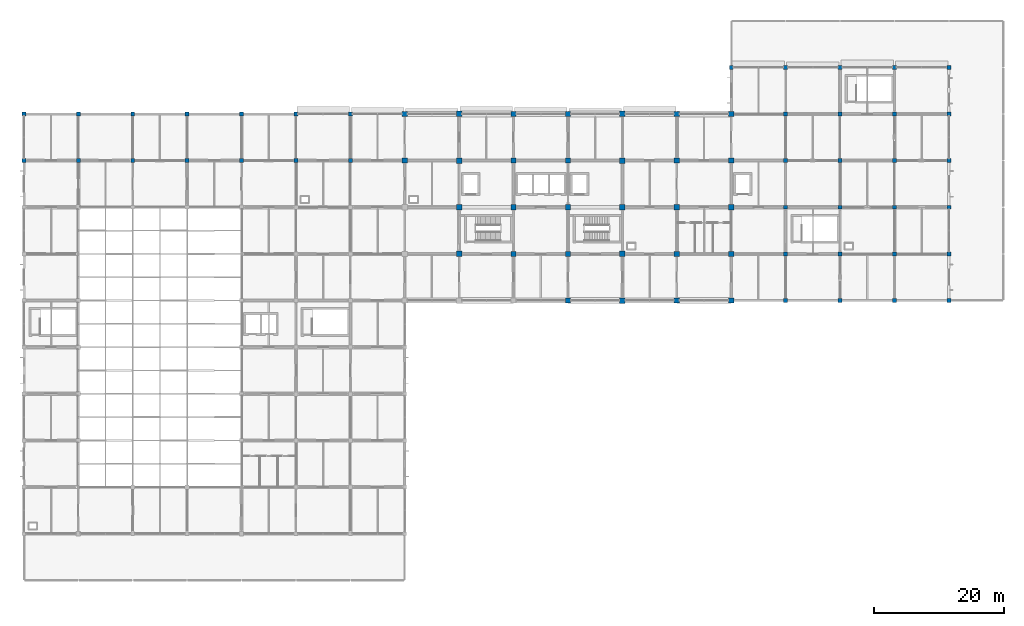
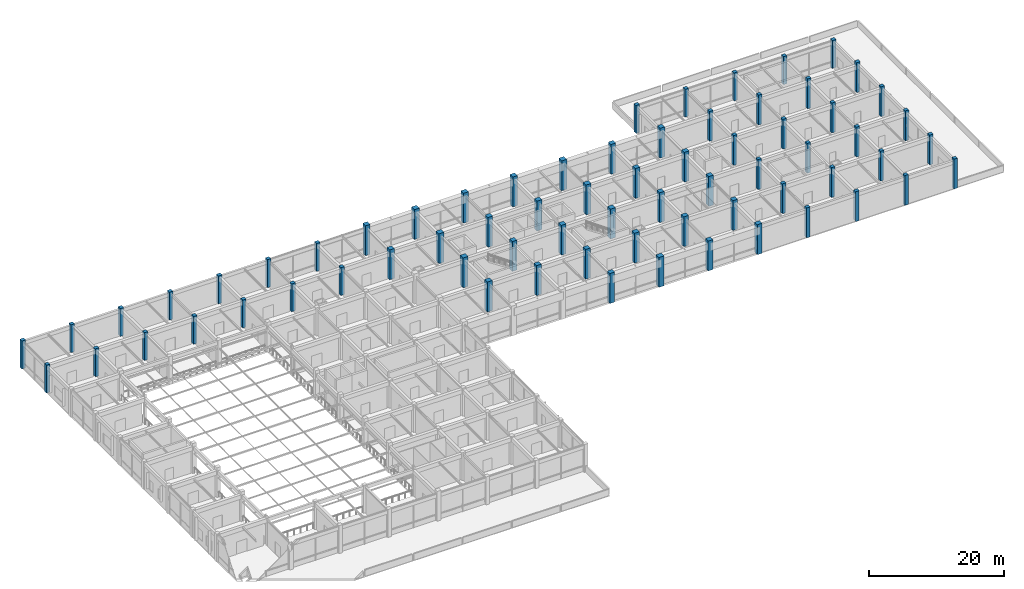
# One storey, part 5 of 38: 69 columns.
"""IFC4 building model written with IfcOpenShell, lengths in metres."""

from ifc_helpers import new_model, si_unit, derived_unit, direction, frame, origin, origin_2d, place, context, subcontext, project, spatial, rectangle, extrude, material, material_profile, profile_set, type_object, element, save


model = new_model("IFC4")

# Units and contexts
model_context = context("Model", 3, precision=1e-05, world=origin(), true_north=direction((0.0, 1.0)))
body_context = subcontext(model_context, "Body", "Model", "MODEL_VIEW")
ifc_project = project(units=[si_unit("LENGTHUNIT", "METRE"), si_unit("AREAUNIT", "SQUARE_METRE"), si_unit("VOLUMEUNIT", "CUBIC_METRE"), si_unit("PLANEANGLEUNIT", "RADIAN"), si_unit("MASSUNIT", "GRAM", prefix="KILO"), derived_unit("THERMALTRANSMITTANCEUNIT", [(si_unit("MASSUNIT", "GRAM", prefix="KILO"), 1), (si_unit("TIMEUNIT", "SECOND"), -3), (si_unit("THERMODYNAMICTEMPERATUREUNIT", "KELVIN"), -1)])], contexts=[model_context])

# Site, building, storey
site_placement = place(None, origin())
site = spatial("IfcSite", under=ifc_project, at=site_placement, CompositionType="ELEMENT")
building_placement = place(site_placement, origin())
building = spatial("IfcBuilding", under=site, at=building_placement, Name="Veldstrom Oceanarium and Marine Research Institute", CompositionType="ELEMENT")
storey_placement = place(building_placement, frame((0.0, 0.0, 16.800048828125)))
storey = spatial("IfcBuildingStorey", under=building, at=storey_placement, Name="L03", CompositionType="ELEMENT", Elevation=16.800048828125)

# Columns
ifc_material_1 = material(Name="Concrete C50/60", Category="concrete")
ifc_material_profile_1 = material_profile(ifc_material_1, rectangle(XDim=0.85009765625, YDim=0.85009765625, at=origin_2d()), Name="RC-COL-850x850")
ifc_profile_set_1 = profile_set([ifc_material_profile_1], Name="Concrete C50/60")
column_type_1 = type_object("IfcColumnType", Name="STR-COL-C03", PredefinedType="COLUMN", material=ifc_profile_set_1)
for number, where, z_axis, x_axis, name in (
    (1, (75.60009765625, 50.39990234375, 0.0), (0.0, 0.0, 1.0), (1.0, 0.0, 0.0), "Column C03 10/H L03"),
    (2, (75.60009765625, 57.60009765625, 0.0), (0.0, 0.0, 1.0), (1.0, 0.0, 0.0), "Column C03 10/J L03"),
    (3, (75.60009765625, 64.800048828125, 0.0), (0.0, 0.0, 1.0), (1.0, 0.0, 0.0), "Column C03 10/K L03"),
    (4, (75.60009765625, 72.0, 0.0), (0.0, 0.0, 1.0), (1.0, 0.0, 0.0), "Column C03 10/L L03"),
    (5, (100.800048828125, 43.199951171875, 0.0), (0.0, 0.0, 1.0), (1.0, 0.0, 0.0), "Column C03 13/G L03"),
    (6, (100.800048828125, 50.39990234375, 0.0), (0.0, 0.0, 1.0), (1.0, 0.0, 0.0), "Column C03 13/H L03"),
    (7, (100.800048828125, 57.60009765625, 0.0), (0.0, 0.0, 1.0), (1.0, 0.0, 0.0), "Column C03 13/J L03"),
    (8, (100.800048828125, 64.800048828125, 0.0), (0.0, 0.0, 1.0), (1.0, 0.0, 0.0), "Column C03 13/K L03"),
    (9, (100.800048828125, 72.0, 0.0), (0.0, 0.0, 1.0), (1.0, 0.0, 0.0), "Column C03 13/L L03"),
):
    element("IfcColumn", number, at=place(storey_placement, frame(where, z_axis=z_axis, x_axis=x_axis)), inside=storey, type_object=column_type_1, Name=name, PredefinedType="COLUMN", context=body_context, shape_type="SweptSolid", body=[
        extrude(rectangle(XDim=0.85009765625, YDim=0.85009765625, at=origin_2d()), origin(), (0.0, 0.0, 1.0), 5.39990234375),
    ])
ifc_material_2 = material(Name="Concrete C50/60", Category="concrete")
ifc_material_profile_2 = material_profile(ifc_material_2, rectangle(XDim=0.800048828125, YDim=0.800048828125, at=origin_2d()), Name="RC-COL-800x800")
ifc_profile_set_2 = profile_set([ifc_material_profile_2], Name="Concrete C50/60")
column_type_2 = type_object("IfcColumnType", Name="STR-COL-C04", PredefinedType="COLUMN", material=ifc_profile_set_2)
for number, where, z_axis, x_axis, name in (
    (10, (67.199951171875, 64.800048828125, 0.0), (0.0, 0.0, 1.0), (1.0, 0.0, 0.0), "Column C04 9/K L03"),
    (11, (67.199951171875, 72.0, 0.0), (0.0, 0.0, 1.0), (1.0, 0.0, 0.0), "Column C04 9/L L03"),
    (12, (84.0, 50.39990234375, 0.0), (0.0, 0.0, 1.0), (1.0, 0.0, 0.0), "Column C04 11/H L03"),
    (13, (84.0, 57.60009765625, 0.0), (0.0, 0.0, 1.0), (1.0, 0.0, 0.0), "Column C04 11/J L03"),
    (14, (84.0, 64.800048828125, 0.0), (0.0, 0.0, 1.0), (1.0, 0.0, 0.0), "Column C04 11/K L03"),
    (15, (84.0, 72.0, 0.0), (0.0, 0.0, 1.0), (1.0, 0.0, 0.0), "Column C04 11/L L03"),
    (16, (92.39990234375, 43.199951171875, 0.0), (0.0, 0.0, 1.0), (1.0, 0.0, 0.0), "Column C04 12/G L03"),
    (17, (92.39990234375, 50.39990234375, 0.0), (0.0, 0.0, 1.0), (1.0, 0.0, 0.0), "Column C04 12/H L03"),
    (18, (92.39990234375, 57.60009765625, 0.0), (0.0, 0.0, 1.0), (1.0, 0.0, 0.0), "Column C04 12/J L03"),
    (19, (92.39990234375, 64.800048828125, 0.0), (0.0, 0.0, 1.0), (1.0, 0.0, 0.0), "Column C04 12/K L03"),
    (20, (92.39990234375, 72.0, 0.0), (0.0, 0.0, 1.0), (1.0, 0.0, 0.0), "Column C04 12/L L03"),
    (21, (109.199951171875, 43.199951171875, 0.0), (0.0, 0.0, 1.0), (1.0, 0.0, 0.0), "Column C04 14/G L03"),
    (22, (109.199951171875, 50.39990234375, 0.0), (0.0, 0.0, 1.0), (1.0, 0.0, 0.0), "Column C04 14/H L03"),
    (23, (109.199951171875, 57.60009765625, 0.0), (0.0, 0.0, 1.0), (1.0, 0.0, 0.0), "Column C04 14/J L03"),
    (24, (109.199951171875, 64.800048828125, 0.0), (0.0, 0.0, 1.0), (1.0, 0.0, 0.0), "Column C04 14/K L03"),
    (25, (109.199951171875, 72.0, 0.0), (0.0, 0.0, 1.0), (1.0, 0.0, 0.0), "Column C04 14/L L03"),
    (26, (117.60009765625, 43.199951171875, 0.0), (0.0, 0.0, 1.0), (1.0, 0.0, 0.0), "Column C04 15/G L03"),
    (27, (117.60009765625, 50.39990234375, 0.0), (0.0, 0.0, 1.0), (1.0, 0.0, 0.0), "Column C04 15/H L03"),
    (28, (117.60009765625, 57.60009765625, 0.0), (0.0, 0.0, 1.0), (1.0, 0.0, 0.0), "Column C04 15/J L03"),
    (29, (117.60009765625, 64.800048828125, 0.0), (0.0, 0.0, 1.0), (1.0, 0.0, 0.0), "Column C04 15/K L03"),
    (30, (117.60009765625, 72.0, 0.0), (0.0, 0.0, 1.0), (1.0, 0.0, 0.0), "Column C04 15/L L03"),
):
    element("IfcColumn", number, at=place(storey_placement, frame(where, z_axis=z_axis, x_axis=x_axis)), inside=storey, type_object=column_type_2, Name=name, PredefinedType="COLUMN", context=body_context, shape_type="SweptSolid", body=[
        extrude(rectangle(XDim=0.800048828125, YDim=0.800048828125, at=origin_2d()), origin(), (0.0, 0.0, 1.0), 5.39990234375),
    ])
ifc_material_3 = material(Name="Concrete C50/60", Category="concrete")
ifc_material_profile_3 = material_profile(ifc_material_3, rectangle(XDim=0.60009765625, YDim=0.60009765625, at=origin_2d()), Name="RC-COL-600x600")
ifc_profile_set_3 = profile_set([ifc_material_profile_3], Name="Concrete C50/60")
column_type_3 = type_object("IfcColumnType", Name="STR-COL-C08", PredefinedType="COLUMN", material=ifc_profile_set_3)
for number, where, z_axis, x_axis, name in (
    (31, (8.39990234375, 64.800048828125, 0.0), (0.0, 0.0, 1.0), (1.0, 0.0, 0.0), "Column C08 2/K L03"),
    (32, (8.39990234375, 72.0, 0.0), (0.0, 0.0, 1.0), (1.0, 0.0, 0.0), "Column C08 2/L L03"),
    (33, (16.800048828125, 64.800048828125, 0.0), (0.0, 0.0, 1.0), (1.0, 0.0, 0.0), "Column C08 3/K L03"),
    (34, (16.800048828125, 72.0, 0.0), (0.0, 0.0, 1.0), (1.0, 0.0, 0.0), "Column C08 3/L L03"),
    (35, (25.199951171875, 64.800048828125, 0.0), (0.0, 0.0, 1.0), (1.0, 0.0, 0.0), "Column C08 4/K L03"),
    (36, (25.199951171875, 72.0, 0.0), (0.0, 0.0, 1.0), (1.0, 0.0, 0.0), "Column C08 4/L L03"),
    (37, (33.60009765625, 64.800048828125, 0.0), (0.0, 0.0, 1.0), (1.0, 0.0, 0.0), "Column C08 5/K L03"),
    (38, (33.60009765625, 72.0, 0.0), (0.0, 0.0, 1.0), (1.0, 0.0, 0.0), "Column C08 5/L L03"),
    (39, (42.0, 64.800048828125, 0.0), (0.0, 0.0, 1.0), (1.0, 0.0, 0.0), "Column C08 6/K L03"),
    (40, (42.0, 72.0, 0.0), (0.0, 0.0, 1.0), (1.0, 0.0, 0.0), "Column C08 6/L L03"),
    (41, (50.39990234375, 64.800048828125, 0.0), (0.0, 0.0, 1.0), (1.0, 0.0, 0.0), "Column C08 7/K L03"),
    (42, (50.39990234375, 72.0, 0.0), (0.0, 0.0, 1.0), (1.0, 0.0, 0.0), "Column C08 7/L L03"),
    (43, (58.800048828125, 64.800048828125, 0.0), (0.0, 0.0, 1.0), (1.0, 0.0, 0.0), "Column C08 8/K L03"),
    (44, (58.800048828125, 72.0, 0.0), (0.0, 0.0, 1.0), (1.0, 0.0, 0.0), "Column C08 8/L L03"),
    (45, (117.60009765625, 79.199951171875, 0.0), (0.0, 0.0, 1.0), (1.0, 0.0, 0.0), "Column C08 15/M L03"),
):
    element("IfcColumn", number, at=place(storey_placement, frame(where, z_axis=z_axis, x_axis=x_axis)), inside=storey, type_object=column_type_3, Name=name, PredefinedType="COLUMN", context=body_context, shape_type="SweptSolid", body=[
        extrude(rectangle(XDim=0.60009765625, YDim=0.60009765625, at=origin_2d()), origin(), (0.0, 0.0, 1.0), 5.050048828125),
    ])
for number, where, z_axis, x_axis, name in (
    (46, (126.0, 43.199951171875, 0.0), (0.0, 0.0, 1.0), (1.0, 0.0, 0.0), "Column C08 16/G L03"),
    (47, (126.0, 50.39990234375, 0.0), (0.0, 0.0, 1.0), (1.0, 0.0, 0.0), "Column C08 16/H L03"),
    (48, (126.0, 57.60009765625, 0.0), (0.0, 0.0, 1.0), (1.0, 0.0, 0.0), "Column C08 16/J L03"),
    (49, (126.0, 64.800048828125, 0.0), (0.0, 0.0, 1.0), (1.0, 0.0, 0.0), "Column C08 16/K L03"),
    (50, (126.0, 72.0, 0.0), (0.0, 0.0, 1.0), (1.0, 0.0, 0.0), "Column C08 16/L L03"),
):
    element("IfcColumn", number, at=place(storey_placement, frame(where, z_axis=z_axis, x_axis=x_axis)), inside=storey, type_object=column_type_3, Name=name, PredefinedType="COLUMN", context=body_context, shape_type="SweptSolid", body=[
        extrude(rectangle(XDim=0.60009765625, YDim=0.60009765625, at=origin_2d()), origin(), (0.0, 0.0, 1.0), 5.39990234375),
    ])
column_1_placement = place(storey_placement, frame((126.0, 79.199951171875, 0.0), z_axis=(0.0, 0.0, 1.0), x_axis=(1.0, 0.0, 0.0)))
element("IfcColumn", 51, at=column_1_placement, inside=storey, type_object=column_type_3, Name="Column C08 16/M L03", PredefinedType="COLUMN", context=body_context, shape_type="SweptSolid", body=[
    extrude(rectangle(XDim=0.60009765625, YDim=0.60009765625, at=origin_2d()), origin(), (0.0, 0.0, 1.0), 5.050048828125),
])
for number, where, z_axis, x_axis, name in (
    (52, (134.39990234375, 43.199951171875, 0.0), (0.0, 0.0, 1.0), (1.0, 0.0, 0.0), "Column C08 17/G L03"),
    (53, (134.39990234375, 50.39990234375, 0.0), (0.0, 0.0, 1.0), (1.0, 0.0, 0.0), "Column C08 17/H L03"),
    (54, (134.39990234375, 57.60009765625, 0.0), (0.0, 0.0, 1.0), (1.0, 0.0, 0.0), "Column C08 17/J L03"),
    (55, (134.39990234375, 64.800048828125, 0.0), (0.0, 0.0, 1.0), (1.0, 0.0, 0.0), "Column C08 17/K L03"),
    (56, (134.39990234375, 72.0, 0.0), (0.0, 0.0, 1.0), (1.0, 0.0, 0.0), "Column C08 17/L L03"),
):
    element("IfcColumn", number, at=place(storey_placement, frame(where, z_axis=z_axis, x_axis=x_axis)), inside=storey, type_object=column_type_3, Name=name, PredefinedType="COLUMN", context=body_context, shape_type="SweptSolid", body=[
        extrude(rectangle(XDim=0.60009765625, YDim=0.60009765625, at=origin_2d()), origin(), (0.0, 0.0, 1.0), 5.39990234375),
    ])
column_2_placement = place(storey_placement, frame((134.39990234375, 79.199951171875, 0.0), z_axis=(0.0, 0.0, 1.0), x_axis=(1.0, 0.0, 0.0)))
element("IfcColumn", 57, at=column_2_placement, inside=storey, type_object=column_type_3, Name="Column C08 17/M L03", PredefinedType="COLUMN", context=body_context, shape_type="SweptSolid", body=[
    extrude(rectangle(XDim=0.60009765625, YDim=0.60009765625, at=origin_2d()), origin(), (0.0, 0.0, 1.0), 5.050048828125),
])
for number, where, z_axis, x_axis, name in (
    (58, (142.800048828125, 43.199951171875, 0.0), (0.0, 0.0, 1.0), (1.0, 0.0, 0.0), "Column C08 18/G L03"),
    (59, (142.800048828125, 50.39990234375, 0.0), (0.0, 0.0, 1.0), (1.0, 0.0, 0.0), "Column C08 18/H L03"),
    (60, (142.800048828125, 57.60009765625, 0.0), (0.0, 0.0, 1.0), (1.0, 0.0, 0.0), "Column C08 18/J L03"),
    (61, (142.800048828125, 64.800048828125, 0.0), (0.0, 0.0, 1.0), (1.0, 0.0, 0.0), "Column C08 18/K L03"),
    (62, (142.800048828125, 72.0, 0.0), (0.0, 0.0, 1.0), (1.0, 0.0, 0.0), "Column C08 18/L L03"),
):
    element("IfcColumn", number, at=place(storey_placement, frame(where, z_axis=z_axis, x_axis=x_axis)), inside=storey, type_object=column_type_3, Name=name, PredefinedType="COLUMN", context=body_context, shape_type="SweptSolid", body=[
        extrude(rectangle(XDim=0.60009765625, YDim=0.60009765625, at=origin_2d()), origin(), (0.0, 0.0, 1.0), 5.39990234375),
    ])
column_3_placement = place(storey_placement, frame((142.800048828125, 79.199951171875, 0.0), z_axis=(0.0, 0.0, 1.0), x_axis=(1.0, 0.0, 0.0)))
element("IfcColumn", 63, at=column_3_placement, inside=storey, type_object=column_type_3, Name="Column C08 18/M L03", PredefinedType="COLUMN", context=body_context, shape_type="SweptSolid", body=[
    extrude(rectangle(XDim=0.60009765625, YDim=0.60009765625, at=origin_2d()), origin(), (0.0, 0.0, 1.0), 5.050048828125),
])
for number, where, z_axis, x_axis, name in (
    (64, (151.199951171875, 43.199951171875, 0.0), (0.0, 0.0, 1.0), (1.0, 0.0, 0.0), "Column C08 19/G L03"),
    (65, (151.199951171875, 50.39990234375, 0.0), (0.0, 0.0, 1.0), (1.0, 0.0, 0.0), "Column C08 19/H L03"),
    (66, (151.199951171875, 57.60009765625, 0.0), (0.0, 0.0, 1.0), (1.0, 0.0, 0.0), "Column C08 19/J L03"),
    (67, (151.199951171875, 64.800048828125, 0.0), (0.0, 0.0, 1.0), (1.0, 0.0, 0.0), "Column C08 19/K L03"),
    (68, (151.199951171875, 72.0, 0.0), (0.0, 0.0, 1.0), (1.0, 0.0, 0.0), "Column C08 19/L L03"),
):
    element("IfcColumn", number, at=place(storey_placement, frame(where, z_axis=z_axis, x_axis=x_axis)), inside=storey, type_object=column_type_3, Name=name, PredefinedType="COLUMN", context=body_context, shape_type="SweptSolid", body=[
        extrude(rectangle(XDim=0.60009765625, YDim=0.60009765625, at=origin_2d()), origin(), (0.0, 0.0, 1.0), 5.39990234375),
    ])
column_4_placement = place(storey_placement, frame((151.199951171875, 79.199951171875, 0.0), z_axis=(0.0, 0.0, 1.0), x_axis=(1.0, 0.0, 0.0)))
element("IfcColumn", 69, at=column_4_placement, inside=storey, type_object=column_type_3, Name="Column C08 19/M L03", PredefinedType="COLUMN", context=body_context, shape_type="SweptSolid", body=[
    extrude(rectangle(XDim=0.60009765625, YDim=0.60009765625, at=origin_2d()), origin(), (0.0, 0.0, 1.0), 5.050048828125),
])

save(model, "model.ifc")
